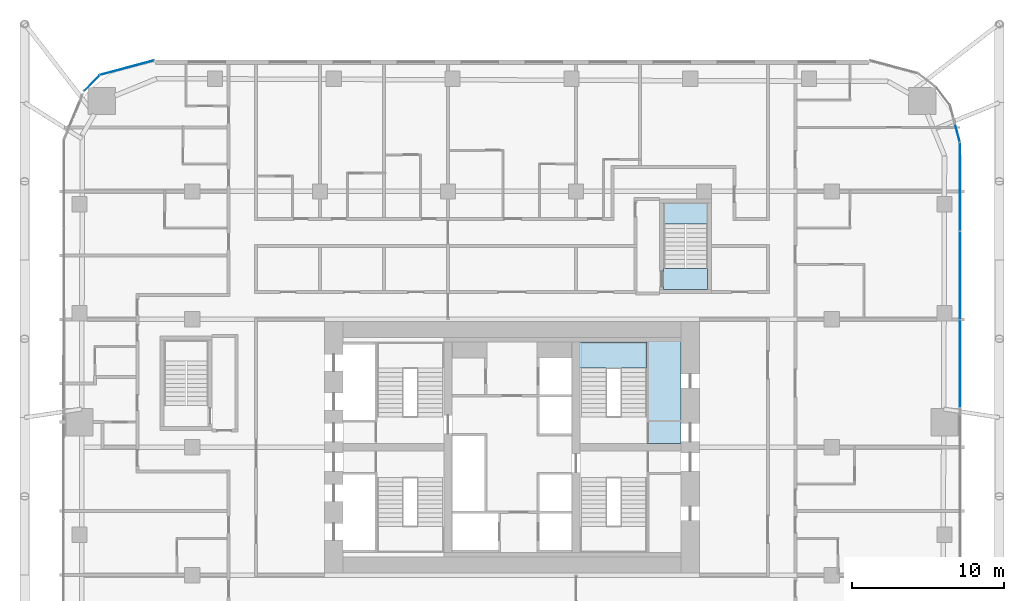
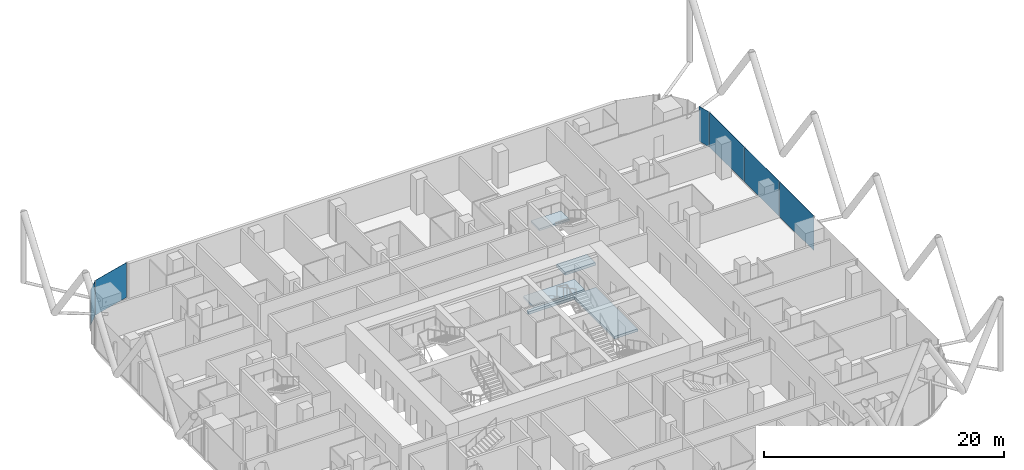
# One storey, part 26 of 38: 6 plates, 4 slabs, 6 elements without a shape of their own.
"""IFC4 building model written with IfcOpenShell, lengths in metres."""

import ifcopenshell
import ifcopenshell.guid

model = None  # the IFC model being written
_history = None  # IfcOwnerHistory: only IFC2X3 demands one
_inside = {}  # id of a spatial element -> (the spatial element, [elements in it])
_under = {}  # id of a project, library or spatial element -> (it, [spatial elements below it])
_declared = {}  # id of a project -> (the project, [libraries it declares])
_typed = {}  # id of a type object -> (the type object, [elements of that type])
_made_of = {}  # id of a material, layer set ... -> (it, [elements and type objects made of it])


def new_model(schema):
    """Start an empty IFC model of exactly this schema.

    Asked for "IFC4X3", IfcOpenShell would pick the latest addendum, in which some entities
    have other attributes; the version numbers below select the first issue.
    IFC2X3 requires an IfcOwnerHistory on every rooted entity: one is made here for all.
    """
    global model, _history
    if schema == "IFC4X3":
        model = ifcopenshell.file(schema_version=(4, 3, 0, 0))
    else:
        model = ifcopenshell.file(schema=schema)
    _inside.clear()
    _under.clear()
    _declared.clear()
    _typed.clear()
    _made_of.clear()
    _history = None
    if model.schema == "IFC2X3":
        org = make("IfcOrganization", Name="unknown")
        user = make(
            "IfcPersonAndOrganization",
            ThePerson=make("IfcPerson", FamilyName="unknown"),
            TheOrganization=org,
        )
        app = make(
            "IfcApplication",
            ApplicationDeveloper=org,
            Version="unknown",
            ApplicationFullName="unknown",
            ApplicationIdentifier="unknown",
        )
        _history = make(
            "IfcOwnerHistory",
            OwningUser=user,
            OwningApplication=app,
            ChangeAction="ADDED",
            CreationDate=0,
        )
    return model


def make(cls, **values):
    """One entity of the class cls with the attributes given. An attribute that is None is left unset."""
    return model.create_entity(
        cls, **{name: value for name, value in values.items() if value is not None}
    )


def rooted(cls, **values):
    """An entity with a GlobalId (a new one), such as an element, a storey or a relation."""
    return make(cls, GlobalId=ifcopenshell.guid.new(), OwnerHistory=_history, **values)


def si_unit(unit_type, name, prefix=None):
    """IfcSIUnit, for example si_unit("LENGTHUNIT", "METRE", prefix="MILLI")."""
    return make("IfcSIUnit", UnitType=unit_type, Prefix=prefix, Name=name)


def assignment(units):
    """IfcUnitAssignment: the units of a project."""
    return None if units is None else make("IfcUnitAssignment", Units=units)


def point(xyz):
    """IfcCartesianPoint."""
    return None if xyz is None else make("IfcCartesianPoint", Coordinates=xyz)


def direction(xyz):
    """IfcDirection."""
    return None if xyz is None else make("IfcDirection", DirectionRatios=xyz)


def frame(location, z_axis=None, x_axis=None):
    """IfcAxis2Placement3D, a coordinate frame: its origin and axes. An axis left out is left unset."""
    return make(
        "IfcAxis2Placement3D",
        Location=point(location),
        Axis=direction(z_axis),
        RefDirection=direction(x_axis),
    )


def frame_2d(location, x_axis=None):
    """IfcAxis2Placement2D, a coordinate frame in the plane: its origin and x axis."""
    return make(
        "IfcAxis2Placement2D", Location=point(location), RefDirection=direction(x_axis)
    )


def origin():
    """The frame at (0, 0, 0) with its axes left unset."""
    return frame((0.0, 0.0, 0.0))


def origin_2d():
    """The frame at (0, 0) in the plane with its x axis left unset."""
    return frame_2d((0.0, 0.0))


def place(relative_to, where):
    """IfcLocalPlacement: puts the frame where relative to a parent placement (None: the world)."""
    return make(
        "IfcLocalPlacement", PlacementRelTo=relative_to, RelativePlacement=where
    )


def context(
    kind, dimensions, precision=None, world=None, true_north=None, identifier=None
):
    """IfcGeometricRepresentationContext, for example the 3D "Model" context."""
    return make(
        "IfcGeometricRepresentationContext",
        ContextIdentifier=identifier,
        ContextType=kind,
        CoordinateSpaceDimension=dimensions,
        Precision=precision,
        WorldCoordinateSystem=world,
        TrueNorth=true_north,
    )


def subcontext(parent, identifier, kind, view, scale=None):
    """IfcGeometricRepresentationSubContext, for example "Body" below "Model"."""
    return make(
        "IfcGeometricRepresentationSubContext",
        ContextIdentifier=identifier,
        ContextType=kind,
        ParentContext=parent,
        TargetScale=scale,
        TargetView=view,
    )


def project(units=None, contexts=None):
    """IfcProject with its units and contexts."""
    return rooted(
        "IfcProject",
        Name="project",
        RepresentationContexts=contexts,
        UnitsInContext=assignment(units),
    )


def spatial(cls, under=None, at=None, **own):
    """A site, building, storey or space (cls), placed at a placement, below another one or the project."""
    s = rooted(cls, ObjectPlacement=at, **own)
    if under is not None:
        _under.setdefault(under.id(), (under, []))[1].append(s)
    return s


def polyline(points):
    """IfcPolyline through the points."""
    return make("IfcPolyline", Points=[point(p) for p in points])


def profile(cls, at=None, kind="AREA", **sizes):
    """A parametric profile (cls). Its sizes go by their IFC names, for example OverallWidth=200.0."""
    return make(cls, ProfileType=kind, Position=at, **sizes)


def rectangle(**sizes):
    """IfcRectangleProfileDef."""
    return profile("IfcRectangleProfileDef", **sizes)


def outline(outer, holes=None, kind="AREA"):
    """IfcArbitraryClosedProfileDef: a profile drawn as a closed curve; with holes, ...WithVoids."""
    if holes is None:
        return make("IfcArbitraryClosedProfileDef", ProfileType=kind, OuterCurve=outer)
    return make(
        "IfcArbitraryProfileDefWithVoids",
        ProfileType=kind,
        OuterCurve=outer,
        InnerCurves=holes,
    )


def extrude(swept, where, along, depth):
    """IfcExtrudedAreaSolid: the profile swept, set in the frame where, extruded along a direction by depth."""
    return make(
        "IfcExtrudedAreaSolid",
        SweptArea=swept,
        Position=where,
        ExtrudedDirection=direction(along),
        Depth=depth,
    )


def shape(context_of_items, identifier, shape_type, items):
    """IfcShapeRepresentation: the items that make up one representation, for example the "Body"."""
    return make(
        "IfcShapeRepresentation",
        ContextOfItems=context_of_items,
        RepresentationIdentifier=identifier,
        RepresentationType=shape_type,
        Items=items,
    )


def material(Name=None, Category=None):
    """IfcMaterial."""
    return make("IfcMaterial", Name=Name, Category=Category)


def layer(
    of_material, thickness, ventilated=None, Name=None, Category=None, Priority=None
):
    """IfcMaterialLayer: one layer of a wall or slab, of a material (None: an air gap)."""
    return make(
        "IfcMaterialLayer",
        Material=of_material,
        LayerThickness=thickness,
        IsVentilated=ventilated,
        Name=Name,
        Category=Category,
        Priority=Priority,
    )


def layer_set(layers, Name=None):
    """IfcMaterialLayerSet."""
    return make("IfcMaterialLayerSet", MaterialLayers=layers, LayerSetName=Name)


def made_of(thing, what):
    """Note that an element or type object is made of a material, layer set ...; save() writes the relation."""
    if what is not None:
        _made_of.setdefault(what.id(), (what, []))[1].append(thing)
    return thing


def type_object(cls, material=None, **own):
    """A type object (cls), such as IfcWallType, which elements share."""
    return made_of(rooted(cls, **own), material)


def element(
    cls,
    number,
    at=None,
    inside=None,
    cuts=None,
    type_object=None,
    material=None,
    context=None,
    identifier="Body",
    shape_type=None,
    held_by="IfcProductDefinitionShape",
    body=None,
    shapes=None,
    **own,
):
    """One element of the class cls, such as IfcWall. Its Tag is "e" and its number.

    at: its placement. inside: the storey or other place that contains it. cuts: it is an
    opening in that element (IfcRelVoidsElement). A single representation is given by context,
    identifier, shape_type and body (its items); several are given by shapes. held_by: the class
    of the entity that holds the representations. save() writes the other relations.
    """
    e = rooted(cls, Tag="e%d" % number, ObjectPlacement=at, **own)
    if body is not None:
        shapes = [shape(context, identifier, shape_type, body)]
    if shapes is not None:
        e.Representation = make(held_by, Representations=shapes)
    if inside is not None:
        _inside.setdefault(inside.id(), (inside, []))[1].append(e)
    if cuts is not None:
        rooted(
            "IfcRelVoidsElement", RelatingBuildingElement=cuts, RelatedOpeningElement=e
        )
    if type_object is not None:
        _typed.setdefault(type_object.id(), (type_object, []))[1].append(e)
    return made_of(e, material)


def aggregate(whole, parts):
    """IfcRelAggregates: a whole, such as a stair, and the parts it consists of."""
    return rooted("IfcRelAggregates", RelatingObject=whole, RelatedObjects=parts)


def save(model, path):
    """Write the relations noted so far, then the file.

    IfcRelAggregates (storeys below a building ...), IfcRelContainedInSpatialStructure (elements
    in a storey), IfcRelDefinesByType, IfcRelAssociatesMaterial and IfcRelDeclares: one each for
    every whole, place, type object, material and project.
    """
    for whole, parts in _under.values():
        aggregate(whole, parts)
    for where, things in _inside.values():
        rooted(
            "IfcRelContainedInSpatialStructure",
            RelatedElements=things,
            RelatingStructure=where,
        )
    for kind, things in _typed.values():
        rooted("IfcRelDefinesByType", RelatedObjects=things, RelatingType=kind)
    for what, things in _made_of.values():
        rooted("IfcRelAssociatesMaterial", RelatedObjects=things, RelatingMaterial=what)
    for by, libraries in _declared.values():
        rooted("IfcRelDeclares", RelatingContext=by, RelatedDefinitions=libraries)
    model.write(path)


model = new_model("IFC4")

# Units and contexts
model_context = context("Model", 3, precision=1e-05, world=origin(), true_north=direction((0.0, 1.0)))
body_context = subcontext(model_context, "Body", "Model", "MODEL_VIEW")
ifc_project = project(units=[si_unit("LENGTHUNIT", "METRE"), si_unit("AREAUNIT", "SQUARE_METRE"), si_unit("VOLUMEUNIT", "CUBIC_METRE"), si_unit("PLANEANGLEUNIT", "RADIAN"), si_unit("MASSUNIT", "GRAM", prefix="KILO")], contexts=[model_context])

# Site, building, storey
site_placement = place(None, origin())
site = spatial("IfcSite", under=ifc_project, at=site_placement, CompositionType="ELEMENT")
building_placement = place(site_placement, origin())
building = spatial("IfcBuilding", under=site, at=building_placement, Name="Marenta Gate Hotel Tower", CompositionType="ELEMENT")
storey_placement = place(building_placement, frame((0.0, 0.0, 54.5)))
storey = spatial("IfcBuildingStorey", under=building, at=storey_placement, Name="L11", CompositionType="ELEMENT", Elevation=54.5)

# Slab
ifc_material_1 = material(Name="Concrete C40", Category="concrete")
ifc_layer_1 = layer(ifc_material_1, 0.260009765625)
ifc_layer_set_1 = layer_set([ifc_layer_1], Name="Concrete C40")
slab_type_1 = type_object("IfcSlabType", Name="Core floor slab 260", PredefinedType="FLOOR", material=ifc_layer_set_1)
slab_1_placement = place(storey_placement, frame((0.0, 0.0, -0.260009765625)))
element("IfcSlab", 1, at=slab_1_placement, inside=storey, type_object=slab_type_1, Name="L11-CF-3", PredefinedType="FLOOR", context=body_context, shape_type="SweptSolid", body=[
    extrude(outline(polyline([(8.85009765625, 15.300048828125), (4.449951171875, 15.300048828125), (4.449951171875, 15.60009765625), (11.10009765625, 15.60009765625), (11.10009765625, 8.64990234375), (8.85009765625, 8.64990234375), (8.85009765625, 8.699951171875), (8.85009765625, 10.39990234375), (8.85009765625, 15.300048828125)])), origin(), (0.0, 0.0, 1.0), 0.260009765625),
])

# Stair, slab
ifc_material_2 = material(Name="Concrete C40", Category="concrete")
stair_type_1 = type_object("IfcStairType", Name="Core exit stair 1700 wide", PredefinedType="HALF_TURN_STAIR", material=ifc_material_2)
stair_1_placement = place(storey_placement, origin())
stair_1 = element("IfcStair", 2, at=stair_1_placement, inside=storey, type_object=stair_type_1, Name="Exit stair 4", PredefinedType="HALF_TURN_STAIR")
ifc_material_3 = material(Name="Concrete C40", Category="concrete")
ifc_layer_2 = layer(ifc_material_3, 0.199951171875)
ifc_layer_set_2 = layer_set([ifc_layer_2], Name="Concrete C40")
slab_type_2 = type_object("IfcSlabType", Name="Core stair landing 200", PredefinedType="LANDING", material=ifc_layer_set_2)
slab_2_placement = place(storey_placement, frame((0.0, 0.0, 1.60009765625)))
slab_2 = element("IfcSlab", 3, at=slab_2_placement, type_object=slab_type_2, Name="SL-200 ST4 landing 1", PredefinedType="LANDING", context=body_context, shape_type="SweptSolid", body=[
    extrude(outline(polyline([(3.949951171875, 13.590087890625), (8.85009765625, 13.590087890625), (8.85009765625, 15.300048828125), (3.949951171875, 15.300048828125), (3.949951171875, 13.590087890625)])), origin(), (0.0, 0.0, 1.0), 0.199951171875),
])
aggregate(stair_1, [slab_2])

# Curtain wall, plate
ifc_material_4 = material(Name="Tinted insulated glass in bronze anodised frame", Category="glass")
ifc_layer_3 = layer(ifc_material_4, 0.1201171875)
ifc_layer_set_3 = layer_set([ifc_layer_3], Name="Tinted insulated glass in bronze anodised frame")
curtain_wall_type = type_object("IfcCurtainWallType", Name="Tower unitised curtain wall CW1", PredefinedType="NOTDEFINED", material=ifc_layer_set_3)
curtain_wall_1_placement = place(storey_placement, origin())
curtain_wall_1 = element("IfcCurtainWall", 4, at=curtain_wall_1_placement, inside=storey, type_object=curtain_wall_type, Name="CW1 run G00", PredefinedType="NOTDEFINED")
ifc_material_5 = material(Name="Tinted insulated glass", Category="glass")
ifc_layer_4 = layer(ifc_material_5, 0.028076171875)
ifc_layer_set_4 = layer_set([ifc_layer_4], Name="Tinted insulated glass")
plate_type = type_object("IfcPlateType", Name="Glass panel CW1 28 mm tinted insulated unit", PredefinedType="CURTAIN_PANEL", material=ifc_layer_set_4)
plate_1_placement = place(storey_placement, frame((-25.277099609375, 33.3232421875, 0.06005859375), z_axis=(0.0, 0.0, 1.0), x_axis=(-0.965930485164, -0.258801657317, 0.0)))
plate_1 = element("IfcPlate", 5, at=plate_1_placement, type_object=plate_type, Name="CW1 panel 1.1", PredefinedType="CURTAIN_PANEL", context=body_context, shape_type="SweptSolid", body=[
    extrude(rectangle(XDim=3.64990234375, YDim=0.028076171875, at=origin_2d()), origin(), (0.0, 0.0, 1.0), 3.5400390625),
])
aggregate(curtain_wall_1, [plate_1])

curtain_wall_2_placement = place(storey_placement, origin())
curtain_wall_2 = element("IfcCurtainWall", 6, at=curtain_wall_2_placement, inside=storey, type_object=curtain_wall_type, Name="CW1 run G01", PredefinedType="NOTDEFINED")
plate_2_placement = place(storey_placement, frame((-27.58544921875, 32.305419921875, 0.06005859375), z_axis=(0.0, 0.0, 1.0), x_axis=(-0.707106781187, -0.707106781187, 0.0)))
plate_2 = element("IfcPlate", 7, at=plate_2_placement, type_object=plate_type, Name="CW1 panel 1.1", PredefinedType="CURTAIN_PANEL", context=body_context, shape_type="SweptSolid", body=[
    extrude(rectangle(XDim=1.4228515625, YDim=0.028076171875, at=origin_2d()), origin(), (0.0, 0.0, 1.0), 3.5400390625),
])
aggregate(curtain_wall_2, [plate_2])

# Curtain wall, plates
curtain_wall_3_placement = place(storey_placement, origin())
curtain_wall_3 = element("IfcCurtainWall", 8, at=curtain_wall_3_placement, inside=storey, type_object=curtain_wall_type, Name="CW1 run G34", PredefinedType="NOTDEFINED")
plate_3_placement = place(storey_placement, frame((29.4140625, 13.89306640625, 0.06005859375), z_axis=(0.0, 0.0, 1.0), x_axis=(0.0, 1.0, 0.0)))
plate_3 = element("IfcPlate", 9, at=plate_3_placement, type_object=plate_type, Name="CW1 panel 1.1", PredefinedType="CURTAIN_PANEL", context=body_context, shape_type="SweptSolid", body=[
    extrude(rectangle(XDim=5.715576171875, YDim=0.028076171875, at=origin_2d()), origin(), (0.0, 0.0, 1.0), 3.5400390625),
])
plate_4_placement = place(storey_placement, frame((29.4140625, 19.68359375, 0.06005859375), z_axis=(0.0, 0.0, 1.0), x_axis=(0.0, 1.0, 0.0)))
plate_4 = element("IfcPlate", 10, at=plate_4_placement, type_object=plate_type, Name="CW1 panel 2.1", PredefinedType="CURTAIN_PANEL", context=body_context, shape_type="SweptSolid", body=[
    extrude(rectangle(XDim=5.74560546875, YDim=0.028076171875, at=origin_2d()), origin(), (0.0, 0.0, 1.0), 3.5400390625),
])
plate_5_placement = place(storey_placement, frame((29.4140625, 25.504150390625, 0.06005859375), z_axis=(0.0, 0.0, 1.0), x_axis=(0.0, 1.0, 0.0)))
plate_5 = element("IfcPlate", 11, at=plate_5_placement, type_object=plate_type, Name="CW1 panel 3.1", PredefinedType="CURTAIN_PANEL", context=body_context, shape_type="SweptSolid", body=[
    extrude(rectangle(XDim=5.775390625, YDim=0.028076171875, at=origin_2d()), origin(), (0.0, 0.0, 1.0), 3.5400390625),
])
aggregate(curtain_wall_3, [plate_3, plate_4, plate_5])

# Curtain wall, plate
curtain_wall_4_placement = place(storey_placement, origin())
curtain_wall_4 = element("IfcCurtainWall", 12, at=curtain_wall_4_placement, inside=storey, type_object=curtain_wall_type, Name="CW1 run G35", PredefinedType="NOTDEFINED")
plate_6_placement = place(storey_placement, frame((29.2451171875, 29.022705078125, 0.06005859375), z_axis=(0.0, 0.0, 1.0), x_axis=(-0.258816313572, 0.965926558196, 0.0)))
plate_6 = element("IfcPlate", 13, at=plate_6_placement, type_object=plate_type, Name="CW1 panel 1.1", PredefinedType="CURTAIN_PANEL", context=body_context, shape_type="SweptSolid", body=[
    extrude(rectangle(XDim=1.18603515625, YDim=0.028076171875, at=origin_2d()), origin(), (0.0, 0.0, 1.0), 3.5400390625),
])
aggregate(curtain_wall_4, [plate_6])

# Stair, slab
ifc_material_6 = material(Name="Concrete C40", Category="concrete")
stair_type_2 = type_object("IfcStairType", Name="Remote exit stair 1400 wide", PredefinedType="HALF_TURN_STAIR", material=ifc_material_6)
stair_2_placement = place(storey_placement, origin())
stair_2 = element("IfcStair", 14, at=stair_2_placement, inside=storey, type_object=stair_type_2, Name="Exit stair RS-Z1-4", PredefinedType="HALF_TURN_STAIR")
ifc_material_7 = material(Name="Concrete C40", Category="concrete")
ifc_layer_5 = layer(ifc_material_7, 0.199951171875)
ifc_layer_set_5 = layer_set([ifc_layer_5], Name="Concrete C40")
slab_type_3 = type_object("IfcSlabType", Name="Remote stair landing 200", PredefinedType="LANDING", material=ifc_layer_set_5)
slab_3_placement = place(storey_placement, frame((0.0, 0.0, 1.60009765625)))
slab_3 = element("IfcSlab", 15, at=slab_3_placement, type_object=slab_type_3, Name="RL-200 RS-Z1-4 landing 1", PredefinedType="LANDING", context=body_context, shape_type="SweptSolid", body=[
    extrude(outline(polyline([(9.949951171875, 23.050048828125), (12.85009765625, 23.050048828125), (12.85009765625, 24.449951171875), (9.949951171875, 24.449951171875), (9.949951171875, 23.050048828125)])), origin(), (0.0, 0.0, 1.0), 0.199951171875),
])
aggregate(stair_2, [slab_3])

# Slab
ifc_material_8 = material(Name="Concrete C40", Category="concrete")
ifc_layer_6 = layer(ifc_material_8, 0.300048828125)
ifc_layer_set_6 = layer_set([ifc_layer_6], Name="Concrete C40")
slab_type_4 = type_object("IfcSlabType", Name="Stair floor landing slab 300", PredefinedType="FLOOR", material=ifc_layer_set_6)
slab_4_placement = place(storey_placement, frame((0.0, 0.0, -0.300048828125)))
element("IfcSlab", 16, at=slab_4_placement, inside=storey, type_object=slab_type_4, Name="L11-RS-Z1-4-CL", PredefinedType="FLOOR", context=body_context, shape_type="SweptSolid", body=[
    extrude(outline(polyline([(12.85009765625, 18.75), (12.85009765625, 20.14990234375), (9.949951171875, 20.14990234375), (9.949951171875, 18.75), (12.85009765625, 18.75)])), origin(), (0.0, 0.0, 1.0), 0.300048828125),
])

save(model, "model.ifc")
